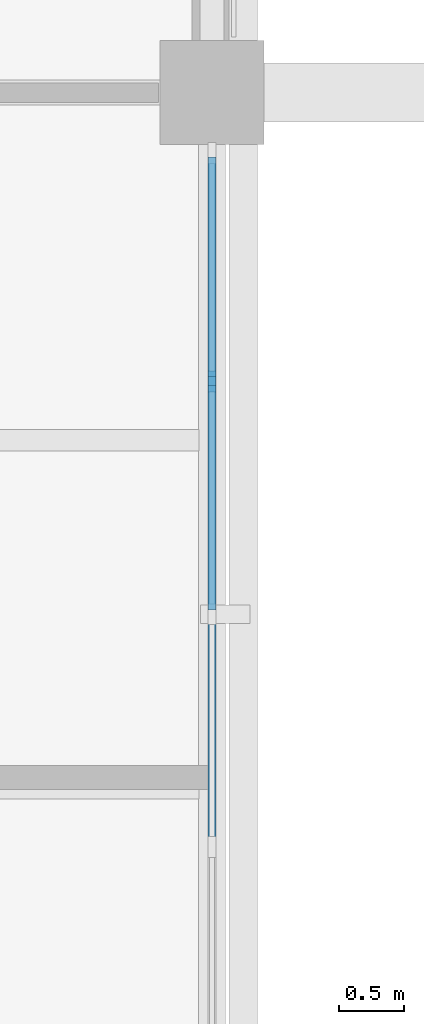
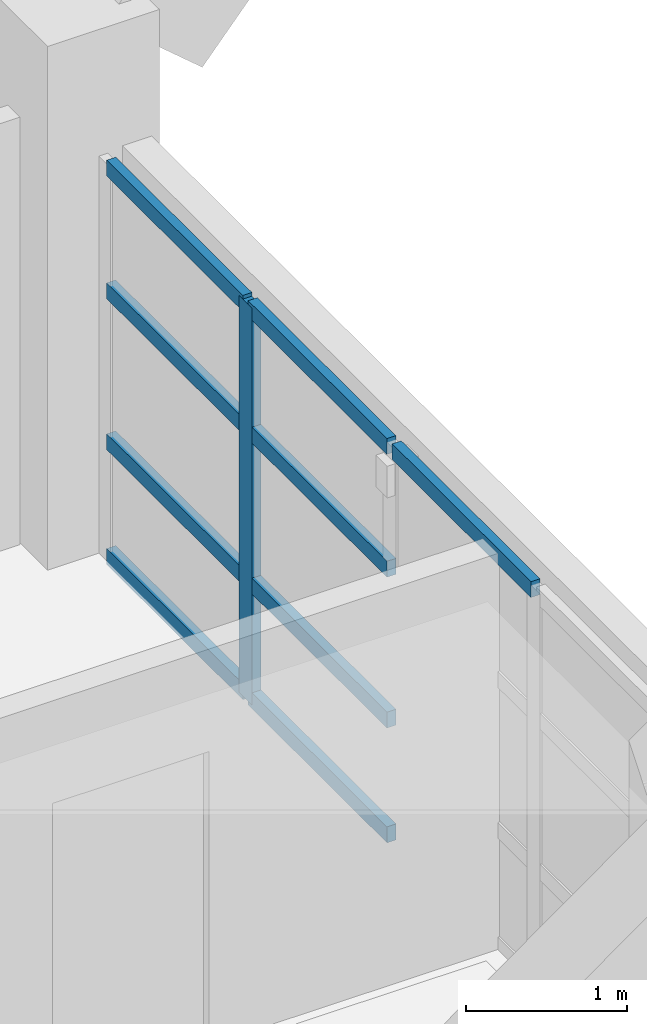
# One storey, part 18 of 92: 10 members, 1 element without a shape of its own.
"""IFC4 building model written with IfcOpenShell, lengths in metres."""

from ifc_helpers import new_model, si_unit, derived_unit, direction, frame, origin, origin_2d, place, context, subcontext, project, spatial, rectangle, extrude, material, layer, layer_set, material_profile, profile_set, type_object, element, aggregate, save


model = new_model("IFC4")

# Units and contexts
model_context = context("Model", 3, precision=1e-05, world=origin(), true_north=direction((0.0, 1.0)))
body_context = subcontext(model_context, "Body", "Model", "MODEL_VIEW")
ifc_project = project(units=[si_unit("LENGTHUNIT", "METRE"), si_unit("AREAUNIT", "SQUARE_METRE"), si_unit("VOLUMEUNIT", "CUBIC_METRE"), si_unit("PLANEANGLEUNIT", "RADIAN"), si_unit("MASSUNIT", "GRAM", prefix="KILO"), derived_unit("THERMALTRANSMITTANCEUNIT", [(si_unit("MASSUNIT", "GRAM", prefix="KILO"), 1), (si_unit("TIMEUNIT", "SECOND"), -3), (si_unit("THERMODYNAMICTEMPERATUREUNIT", "KELVIN"), -1)])], contexts=[model_context])

# Site, building, storey
site_placement = place(None, origin())
site = spatial("IfcSite", under=ifc_project, at=site_placement, CompositionType="ELEMENT")
building_placement = place(site_placement, origin())
building = spatial("IfcBuilding", under=site, at=building_placement, Name="Veyamyaing Civic Hall", CompositionType="ELEMENT")
storey_placement = place(building_placement, frame((0.0, 0.0, 17.820068359375)))
storey = spatial("IfcBuildingStorey", under=building, at=storey_placement, Name="L04", CompositionType="ELEMENT", Elevation=17.820068359375)

# Curtain wall, members
ifc_material = material(Name="Anodised aluminium 6063-T6", Category="aluminium")
ifc_layer = layer(ifc_material, 0.159912109375, Name="Anodised aluminium 6063-T6")
ifc_layer_set = layer_set([ifc_layer], Name="Anodised aluminium 6063-T6")
curtain_wall_type = type_object("IfcCurtainWallType", Name="CW-08", PredefinedType="NOTDEFINED", material=ifc_layer_set)
curtain_wall_placement = place(storey_placement, origin())
curtain_wall = element("IfcCurtainWall", 1, at=curtain_wall_placement, inside=storey, type_object=curtain_wall_type, Name="Unitized curtain wall CW-08 L04 E 9.8", PredefinedType="NOTDEFINED")
ifc_material_profile_1 = material_profile(ifc_material, rectangle(XDim=0.06494140625, YDim=0.159912109375, at=origin_2d()), Name="ALU-MUL-65X160")
ifc_profile_set_1 = profile_set([ifc_material_profile_1], Name="Anodised aluminium 6063-T6")
member_type_1 = type_object("IfcMemberType", Name="CWM-01", PredefinedType="MULLION", material=ifc_profile_set_1)
member_1_placement = place(storey_placement, frame((72.0, 61.784912109375, 0.0), z_axis=(0.0, 0.0, 1.0), x_axis=(-1.0, 0.0, 0.0)))
member_1 = element("IfcMember", 2, at=member_1_placement, type_object=member_type_1, Name="CW-08 mullion 4", PredefinedType="MULLION", context=body_context, shape_type="SweptSolid", body=[
    extrude(rectangle(XDim=0.06494140625, YDim=0.159912109375, at=origin_2d()), origin(), (0.0, 0.0, 1.0), 3.001953125),
])
ifc_material_profile_2 = material_profile(ifc_material, rectangle(XDim=0.06494140625, YDim=0.1201171875, at=origin_2d()), Name="ALU-TRN-65X120")
ifc_profile_set_2 = profile_set([ifc_material_profile_2], Name="Anodised aluminium 6063-T6")
member_type_2 = type_object("IfcMemberType", Name="CWT-01", PredefinedType="USERDEFINED", material=ifc_profile_set_2)
member_2_placement = place(storey_placement, frame((72.0, 58.24755859375, 2.969482421875), z_axis=(0.0, 1.0, 0.0), x_axis=(-1.0, 0.0, 0.0)))
member_2 = element("IfcMember", 3, at=member_2_placement, type_object=member_type_2, Name="CW-08 transom 2.4", ObjectType="TRANSOM", PredefinedType="USERDEFINED", context=body_context, shape_type="SweptSolid", body=[
    extrude(rectangle(XDim=0.06494140625, YDim=0.1201171875, at=origin_2d()), origin(), (0.0, 0.0, 1.0), 1.719970703125),
])
member_3_placement = place(storey_placement, frame((72.0, 60.032470703125, 0.032470703125), z_axis=(0.0, 1.0, 0.0), x_axis=(-1.0, 0.0, 0.0)))
member_3 = element("IfcMember", 4, at=member_3_placement, type_object=member_type_2, Name="CW-08 transom 3.1", ObjectType="TRANSOM", PredefinedType="USERDEFINED", context=body_context, shape_type="SweptSolid", body=[
    extrude(rectangle(XDim=0.06494140625, YDim=0.1201171875, at=origin_2d()), origin(), (0.0, 0.0, 1.0), 1.719970703125),
])
member_4_placement = place(storey_placement, frame((72.0, 60.032470703125, 0.89990234375), z_axis=(0.0, 1.0, 0.0), x_axis=(-1.0, 0.0, 0.0)))
member_4 = element("IfcMember", 5, at=member_4_placement, type_object=member_type_2, Name="CW-08 transom 3.2", ObjectType="TRANSOM", PredefinedType="USERDEFINED", context=body_context, shape_type="SweptSolid", body=[
    extrude(rectangle(XDim=0.06494140625, YDim=0.1201171875, at=origin_2d()), origin(), (0.0, 0.0, 1.0), 1.719970703125),
])
member_5_placement = place(storey_placement, frame((72.0, 60.032470703125, 2.041259765625), z_axis=(0.0, 1.0, 0.0), x_axis=(-1.0, 0.0, 0.0)))
member_5 = element("IfcMember", 6, at=member_5_placement, type_object=member_type_2, Name="CW-08 transom 3.3", ObjectType="TRANSOM", PredefinedType="USERDEFINED", context=body_context, shape_type="SweptSolid", body=[
    extrude(rectangle(XDim=0.06494140625, YDim=0.1201171875, at=origin_2d()), origin(), (0.0, 0.0, 1.0), 1.719970703125),
])
member_6_placement = place(storey_placement, frame((72.0, 60.032470703125, 2.969482421875), z_axis=(0.0, 1.0, 0.0), x_axis=(-1.0, 0.0, 0.0)))
member_6 = element("IfcMember", 7, at=member_6_placement, type_object=member_type_2, Name="CW-08 transom 3.4", ObjectType="TRANSOM", PredefinedType="USERDEFINED", context=body_context, shape_type="SweptSolid", body=[
    extrude(rectangle(XDim=0.06494140625, YDim=0.1201171875, at=origin_2d()), origin(), (0.0, 0.0, 1.0), 1.719970703125),
])
member_7_placement = place(storey_placement, frame((72.0, 61.8173828125, 0.032470703125), z_axis=(0.0, 1.0, 0.0), x_axis=(-1.0, 0.0, 0.0)))
member_7 = element("IfcMember", 8, at=member_7_placement, type_object=member_type_2, Name="CW-08 transom 4.1", ObjectType="TRANSOM", PredefinedType="USERDEFINED", context=body_context, shape_type="SweptSolid", body=[
    extrude(rectangle(XDim=0.06494140625, YDim=0.1201171875, at=origin_2d()), origin(), (0.0, 0.0, 1.0), 1.6875),
])
member_8_placement = place(storey_placement, frame((72.0, 61.8173828125, 0.89990234375), z_axis=(0.0, 1.0, 0.0), x_axis=(-1.0, 0.0, 0.0)))
member_8 = element("IfcMember", 9, at=member_8_placement, type_object=member_type_2, Name="CW-08 transom 4.2", ObjectType="TRANSOM", PredefinedType="USERDEFINED", context=body_context, shape_type="SweptSolid", body=[
    extrude(rectangle(XDim=0.06494140625, YDim=0.1201171875, at=origin_2d()), origin(), (0.0, 0.0, 1.0), 1.6875),
])
member_9_placement = place(storey_placement, frame((72.0, 61.8173828125, 2.041259765625), z_axis=(0.0, 1.0, 0.0), x_axis=(-1.0, 0.0, 0.0)))
member_9 = element("IfcMember", 10, at=member_9_placement, type_object=member_type_2, Name="CW-08 transom 4.3", ObjectType="TRANSOM", PredefinedType="USERDEFINED", context=body_context, shape_type="SweptSolid", body=[
    extrude(rectangle(XDim=0.06494140625, YDim=0.1201171875, at=origin_2d()), origin(), (0.0, 0.0, 1.0), 1.6875),
])
member_10_placement = place(storey_placement, frame((72.0, 61.8173828125, 2.969482421875), z_axis=(0.0, 1.0, 0.0), x_axis=(-1.0, 0.0, 0.0)))
member_10 = element("IfcMember", 11, at=member_10_placement, type_object=member_type_2, Name="CW-08 transom 4.4", ObjectType="TRANSOM", PredefinedType="USERDEFINED", context=body_context, shape_type="SweptSolid", body=[
    extrude(rectangle(XDim=0.06494140625, YDim=0.1201171875, at=origin_2d()), origin(), (0.0, 0.0, 1.0), 1.6875),
])
aggregate(curtain_wall, [member_1, member_2, member_3, member_4, member_5, member_6, member_7, member_8, member_9, member_10])

save(model, "model.ifc")
